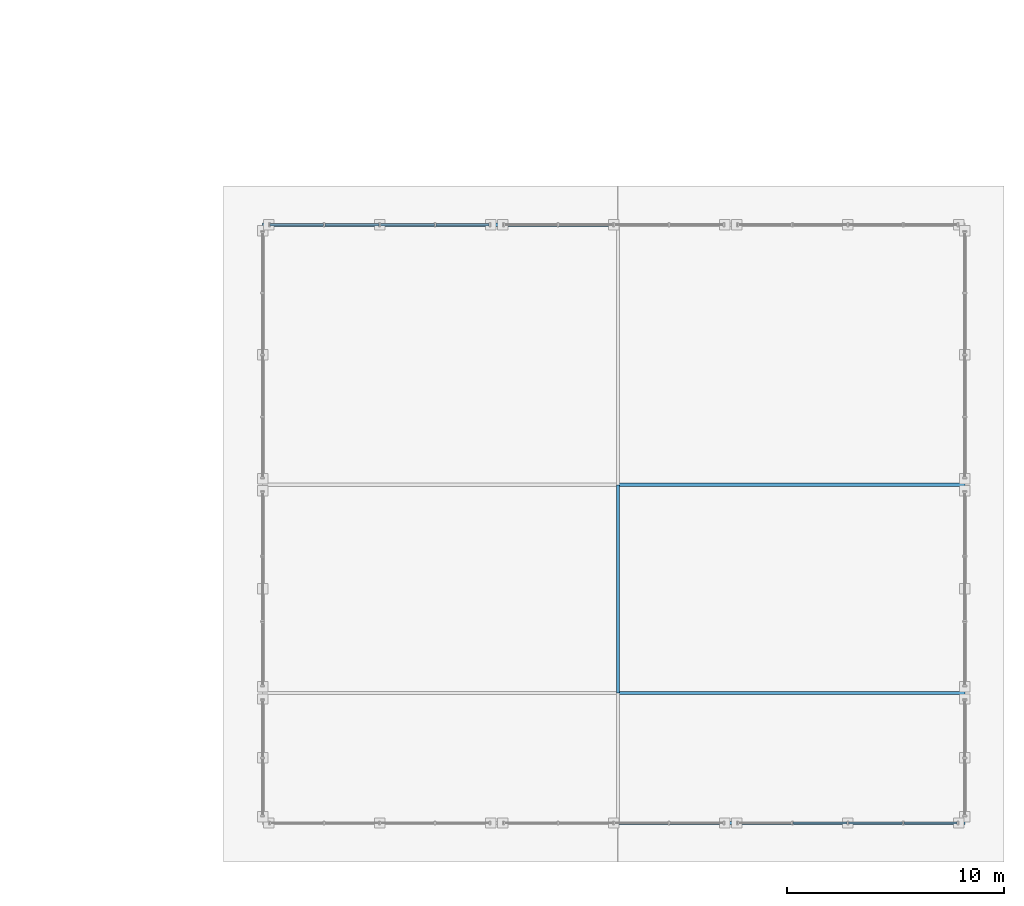
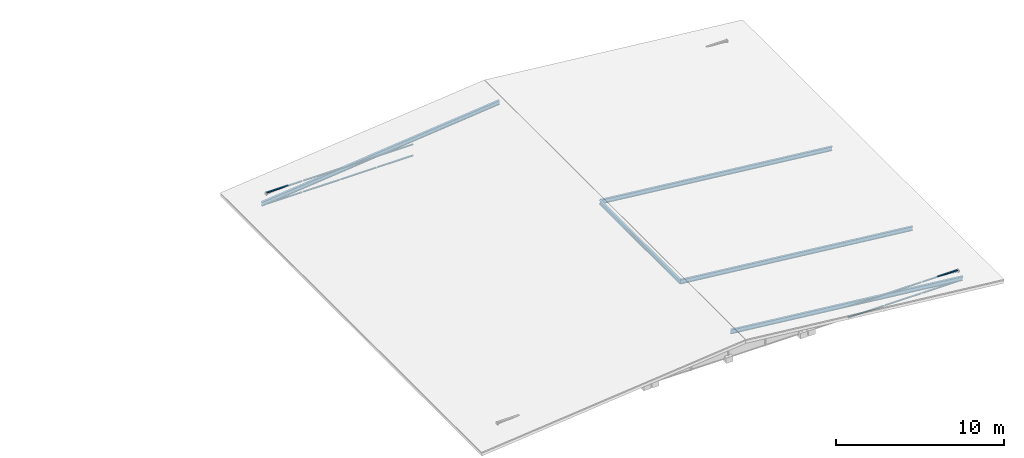
# One storey, part 47 of 117: 19 members, 2 elements without a shape of their own.
"""IFC4 building model written with IfcOpenShell, lengths in metres."""

from ifc_helpers import new_model, si_unit, direction, frame, origin, origin_2d, place, context, subcontext, project, spatial, hollow_rectangle, i_section, extrude, material, material_profile, profile_set, type_object, element, aggregate, save


model = new_model("IFC4")

# Units and contexts
model_context = context("Model", 3, precision=1e-05, world=origin(), true_north=direction((0.0, 1.0)))
body_context = subcontext(model_context, "Body", "Model", "MODEL_VIEW")
ifc_project = project(units=[si_unit("LENGTHUNIT", "METRE"), si_unit("AREAUNIT", "SQUARE_METRE"), si_unit("VOLUMEUNIT", "CUBIC_METRE"), si_unit("PLANEANGLEUNIT", "RADIAN"), si_unit("MASSUNIT", "GRAM", prefix="KILO")], contexts=[model_context])

# Site, building, storey
site_placement = place(None, origin())
site = spatial("IfcSite", under=ifc_project, at=site_placement, CompositionType="ELEMENT")
building_placement = place(site_placement, origin())
building = spatial("IfcBuilding", under=site, at=building_placement, Name="Merenkruunu Market Hall", CompositionType="ELEMENT")
storey_placement = place(building_placement, frame((0.0, 0.0, 22.800048828125)))
storey = spatial("IfcBuildingStorey", under=building, at=storey_placement, Name="RF", CompositionType="ELEMENT", Elevation=22.800048828125)

# Curtain wall, members
ifc_material_1 = material(Name="Powder-coated aluminium", Category="aluminium")
curtain_wall_type = type_object("IfcCurtainWallType", Name="Clerestory Curtain Band CL03", PredefinedType="USERDEFINED", material=ifc_material_1)
curtain_wall_1_placement = place(storey_placement, origin())
curtain_wall_1 = element("IfcCurtainWall", 1, at=curtain_wall_1_placement, inside=storey, type_object=curtain_wall_type, Name="CW-RF-CWM04-243", ObjectType="CLERESTORY_BAND", PredefinedType="USERDEFINED")
ifc_material_profile_1 = material_profile(ifc_material_1, hollow_rectangle(XDim=0.06005859375, YDim=0.110107421875, WallThickness=0.00390625, at=origin_2d()), Name="ALU 60x110x4")
ifc_profile_set_1 = profile_set([ifc_material_profile_1], Name="Powder-coated aluminium")
member_type_1 = type_object("IfcMemberType", Name="Curtain Wall Transom CWT03", PredefinedType="USERDEFINED", material=ifc_profile_set_1)
member_1_placement = place(storey_placement, frame((159.949951171875, 27.60009765625, -1.68994140625), z_axis=(1.0, 0.0, 0.0), x_axis=(0.0, 0.0, 1.0)))
member_1 = element("IfcMember", 2, at=member_1_placement, type_object=member_type_1, Name="CL03 transom 1.1", ObjectType="TRANSOM", PredefinedType="USERDEFINED", context=body_context, shape_type="SweptSolid", body=[
    extrude(hollow_rectangle(XDim=0.06005859375, YDim=0.110107421875, WallThickness=0.00390625, at=origin_2d()), origin(), (0.0, 0.0, 1.0), 2.455078125),
])
member_2_placement = place(storey_placement, frame((159.949951171875, 27.60009765625, -0.880126953125), z_axis=(1.0, 0.0, 0.0), x_axis=(0.0, 0.0, 1.0)))
member_2 = element("IfcMember", 3, at=member_2_placement, type_object=member_type_1, Name="CL03 transom 1.2", ObjectType="TRANSOM", PredefinedType="USERDEFINED", context=body_context, shape_type="SweptSolid", body=[
    extrude(hollow_rectangle(XDim=0.06005859375, YDim=0.110107421875, WallThickness=0.00390625, at=origin_2d()), origin(), (0.0, 0.0, 1.0), 2.455078125),
])
member_3_placement = place(storey_placement, frame((162.47509765625, 27.60009765625, -1.68994140625), z_axis=(1.0, 0.0, 0.0), x_axis=(0.0, 0.0, 1.0)))
member_3 = element("IfcMember", 4, at=member_3_placement, type_object=member_type_1, Name="CL03 transom 2.1", ObjectType="TRANSOM", PredefinedType="USERDEFINED", context=body_context, shape_type="SweptSolid", body=[
    extrude(hollow_rectangle(XDim=0.06005859375, YDim=0.110107421875, WallThickness=0.00390625, at=origin_2d()), origin(), (0.0, 0.0, 1.0), 2.489990234375),
])
member_4_placement = place(storey_placement, frame((162.47509765625, 27.60009765625, -0.880126953125), z_axis=(1.0, 0.0, 0.0), x_axis=(0.0, 0.0, 1.0)))
member_4 = element("IfcMember", 5, at=member_4_placement, type_object=member_type_1, Name="CL03 transom 2.2", ObjectType="TRANSOM", PredefinedType="USERDEFINED", context=body_context, shape_type="SweptSolid", body=[
    extrude(hollow_rectangle(XDim=0.06005859375, YDim=0.110107421875, WallThickness=0.00390625, at=origin_2d()), origin(), (0.0, 0.0, 1.0), 2.489990234375),
])
member_5_placement = place(storey_placement, frame((165.034912109375, 27.60009765625, -1.68994140625), z_axis=(1.0, 0.0, 0.0), x_axis=(0.0, 0.0, 1.0)))
member_5 = element("IfcMember", 6, at=member_5_placement, type_object=member_type_1, Name="CL03 transom 3.1", ObjectType="TRANSOM", PredefinedType="USERDEFINED", context=body_context, shape_type="SweptSolid", body=[
    extrude(hollow_rectangle(XDim=0.06005859375, YDim=0.110107421875, WallThickness=0.00390625, at=origin_2d()), origin(), (0.0, 0.0, 1.0), 2.489990234375),
])
member_6_placement = place(storey_placement, frame((165.034912109375, 27.60009765625, -0.880126953125), z_axis=(1.0, 0.0, 0.0), x_axis=(0.0, 0.0, 1.0)))
member_6 = element("IfcMember", 7, at=member_6_placement, type_object=member_type_1, Name="CL03 transom 3.2", ObjectType="TRANSOM", PredefinedType="USERDEFINED", context=body_context, shape_type="SweptSolid", body=[
    extrude(hollow_rectangle(XDim=0.06005859375, YDim=0.110107421875, WallThickness=0.00390625, at=origin_2d()), origin(), (0.0, 0.0, 1.0), 2.489990234375),
])
member_7_placement = place(storey_placement, frame((167.594970703125, 27.60009765625, -1.68994140625), z_axis=(1.0, 0.0, 0.0), x_axis=(0.0, 0.0, 1.0)))
member_7 = element("IfcMember", 8, at=member_7_placement, type_object=member_type_1, Name="CL03 transom 4.1", ObjectType="TRANSOM", PredefinedType="USERDEFINED", context=body_context, shape_type="SweptSolid", body=[
    extrude(hollow_rectangle(XDim=0.06005859375, YDim=0.110107421875, WallThickness=0.00390625, at=origin_2d()), origin(), (0.0, 0.0, 1.0), 2.455078125),
])
member_8_placement = place(storey_placement, frame((167.594970703125, 27.60009765625, -0.880126953125), z_axis=(1.0, 0.0, 0.0), x_axis=(0.0, 0.0, 1.0)))
member_8 = element("IfcMember", 9, at=member_8_placement, type_object=member_type_1, Name="CL03 transom 4.2", ObjectType="TRANSOM", PredefinedType="USERDEFINED", context=body_context, shape_type="SweptSolid", body=[
    extrude(hollow_rectangle(XDim=0.06005859375, YDim=0.110107421875, WallThickness=0.00390625, at=origin_2d()), origin(), (0.0, 0.0, 1.0), 2.455078125),
])
aggregate(curtain_wall_1, [member_1, member_2, member_3, member_4, member_5, member_6, member_7, member_8])

curtain_wall_2_placement = place(storey_placement, origin())
curtain_wall_2 = element("IfcCurtainWall", 10, at=curtain_wall_2_placement, inside=storey, type_object=curtain_wall_type, Name="CW-RF-CWM04-246", ObjectType="CLERESTORY_BAND", PredefinedType="USERDEFINED")
member_9_placement = place(storey_placement, frame((191.64990234375, 0.0, -1.68994140625), z_axis=(-1.0, 0.0, 0.0), x_axis=(0.0, 0.0, 1.0)))
member_9 = element("IfcMember", 11, at=member_9_placement, type_object=member_type_1, Name="CL03 transom 1.1", ObjectType="TRANSOM", PredefinedType="USERDEFINED", context=body_context, shape_type="SweptSolid", body=[
    extrude(hollow_rectangle(XDim=0.06005859375, YDim=0.110107421875, WallThickness=0.00390625, at=origin_2d()), origin(), (0.0, 0.0, 1.0), 2.454833984375),
])
member_10_placement = place(storey_placement, frame((191.64990234375, 0.0, -0.880126953125), z_axis=(-1.0, 0.0, 0.0), x_axis=(0.0, 0.0, 1.0)))
member_10 = element("IfcMember", 12, at=member_10_placement, type_object=member_type_1, Name="CL03 transom 1.2", ObjectType="TRANSOM", PredefinedType="USERDEFINED", context=body_context, shape_type="SweptSolid", body=[
    extrude(hollow_rectangle(XDim=0.06005859375, YDim=0.110107421875, WallThickness=0.00390625, at=origin_2d()), origin(), (0.0, 0.0, 1.0), 2.454833984375),
])
member_11_placement = place(storey_placement, frame((189.125, 0.0, -1.68994140625), z_axis=(-1.0, 0.0, 0.0), x_axis=(0.0, 0.0, 1.0)))
member_11 = element("IfcMember", 13, at=member_11_placement, type_object=member_type_1, Name="CL03 transom 2.1", ObjectType="TRANSOM", PredefinedType="USERDEFINED", context=body_context, shape_type="SweptSolid", body=[
    extrude(hollow_rectangle(XDim=0.06005859375, YDim=0.110107421875, WallThickness=0.00390625, at=origin_2d()), origin(), (0.0, 0.0, 1.0), 2.489990234375),
])
member_12_placement = place(storey_placement, frame((189.125, 0.0, -0.880126953125), z_axis=(-1.0, 0.0, 0.0), x_axis=(0.0, 0.0, 1.0)))
member_12 = element("IfcMember", 14, at=member_12_placement, type_object=member_type_1, Name="CL03 transom 2.2", ObjectType="TRANSOM", PredefinedType="USERDEFINED", context=body_context, shape_type="SweptSolid", body=[
    extrude(hollow_rectangle(XDim=0.06005859375, YDim=0.110107421875, WallThickness=0.00390625, at=origin_2d()), origin(), (0.0, 0.0, 1.0), 2.489990234375),
])
member_13_placement = place(storey_placement, frame((186.56494140625, 0.0, -1.68994140625), z_axis=(-1.0, 0.0, 0.0), x_axis=(0.0, 0.0, 1.0)))
member_13 = element("IfcMember", 15, at=member_13_placement, type_object=member_type_1, Name="CL03 transom 3.1", ObjectType="TRANSOM", PredefinedType="USERDEFINED", context=body_context, shape_type="SweptSolid", body=[
    extrude(hollow_rectangle(XDim=0.06005859375, YDim=0.110107421875, WallThickness=0.00390625, at=origin_2d()), origin(), (0.0, 0.0, 1.0), 2.489990234375),
])
member_14_placement = place(storey_placement, frame((186.56494140625, 0.0, -0.880126953125), z_axis=(-1.0, 0.0, 0.0), x_axis=(0.0, 0.0, 1.0)))
member_14 = element("IfcMember", 16, at=member_14_placement, type_object=member_type_1, Name="CL03 transom 3.2", ObjectType="TRANSOM", PredefinedType="USERDEFINED", context=body_context, shape_type="SweptSolid", body=[
    extrude(hollow_rectangle(XDim=0.06005859375, YDim=0.110107421875, WallThickness=0.00390625, at=origin_2d()), origin(), (0.0, 0.0, 1.0), 2.489990234375),
])
aggregate(curtain_wall_2, [member_9, member_10, member_11, member_12, member_13, member_14])

# Members
ifc_material_2 = material(Name="Steel S355ML", Category="steel")
ifc_material_profile_2 = material_profile(ifc_material_2, i_section(OverallWidth=0.14990234375, OverallDepth=0.300048828125, WebThickness=0.007080078125, FlangeThickness=0.0107421875, FilletRadius=0.014892578125, at=origin_2d()), Name="IPE 300")
ifc_profile_set_2 = profile_set([ifc_material_profile_2], Name="Steel S355ML")
member_type_2 = type_object("IfcMemberType", Name="Roof Purlin Rafter PR01", PredefinedType="PURLIN", material=ifc_profile_set_2)
for number, where, z_axis, x_axis, name in (
    (17, (176.0, 0.0, 0.119873046875), (0.994403133479, 0.0, -0.105652298255), (0.0, 1.0, 0.0), "MEM-V3-RFE-00"),
    (18, (176.0, 6.0, 0.119873046875), (0.994403133479, 0.0, -0.105652298255), (0.0, 1.0, 0.0), "MEM-V3-RFE-06"),
    (19, (176.0, 15.60009765625, 0.119873046875), (0.994403133479, 0.0, -0.105652298255), (0.0, 1.0, 0.0), "MEM-V3-RFE-16"),
):
    element("IfcMember", number, at=place(storey_placement, frame(where, z_axis=z_axis, x_axis=x_axis)), inside=storey, type_object=member_type_2, Name=name, PredefinedType="PURLIN", context=body_context, shape_type="SweptSolid", body=[
        extrude(i_section(OverallWidth=0.14990234375, OverallDepth=0.300048828125, WebThickness=0.007080078125, FlangeThickness=0.0107421875, FilletRadius=0.014892578125, at=origin_2d()), origin(), (0.0, 0.0, 1.0), 16.090087890625),
    ])
member_15_placement = place(storey_placement, frame((159.60009765625, 27.60009765625, -1.580078125), z_axis=(0.994670606948, 0.0, 0.10310375199), x_axis=(0.0, 1.0, 0.0)))
element("IfcMember", 20, at=member_15_placement, inside=storey, type_object=member_type_2, Name="MEM-V3-RFW-28", PredefinedType="PURLIN", context=body_context, shape_type="SweptSolid", body=[
    extrude(i_section(OverallWidth=0.14990234375, OverallDepth=0.300048828125, WebThickness=0.007080078125, FlangeThickness=0.0107421875, FilletRadius=0.014892578125, at=origin_2d()), origin(), (0.0, 0.0, 1.0), 16.48779296875),
])
member_16_placement = place(storey_placement, frame((176.0, 6.0, 0.119873046875), z_axis=(0.0, 1.0, 0.0), x_axis=(-1.0, 0.0, 0.0)))
element("IfcMember", 21, at=member_16_placement, inside=storey, type_object=member_type_2, Name="MEM-V3-RIDGE-06", PredefinedType="PURLIN", context=body_context, shape_type="SweptSolid", body=[
    extrude(i_section(OverallWidth=0.14990234375, OverallDepth=0.300048828125, WebThickness=0.007080078125, FlangeThickness=0.0107421875, FilletRadius=0.014892578125, at=origin_2d()), origin(), (0.0, 0.0, 1.0), 9.60009765625),
])

save(model, "model.ifc")
